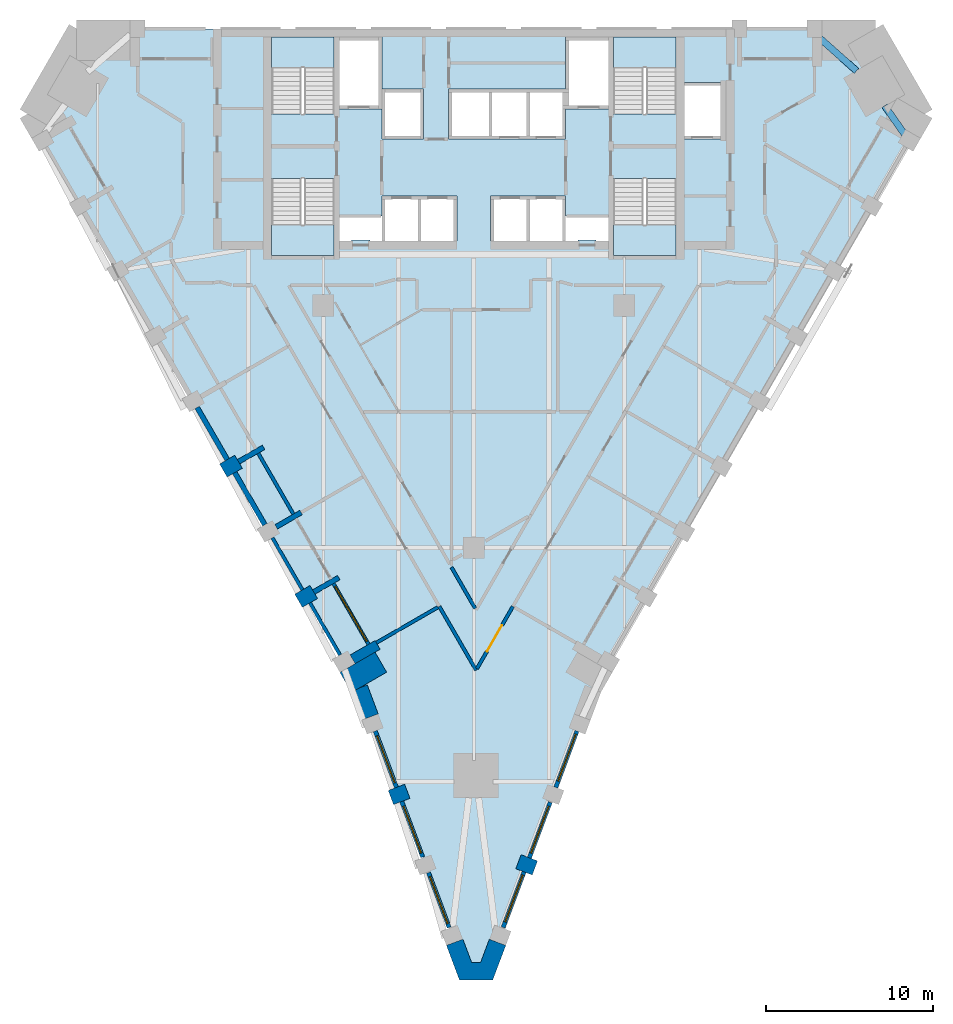
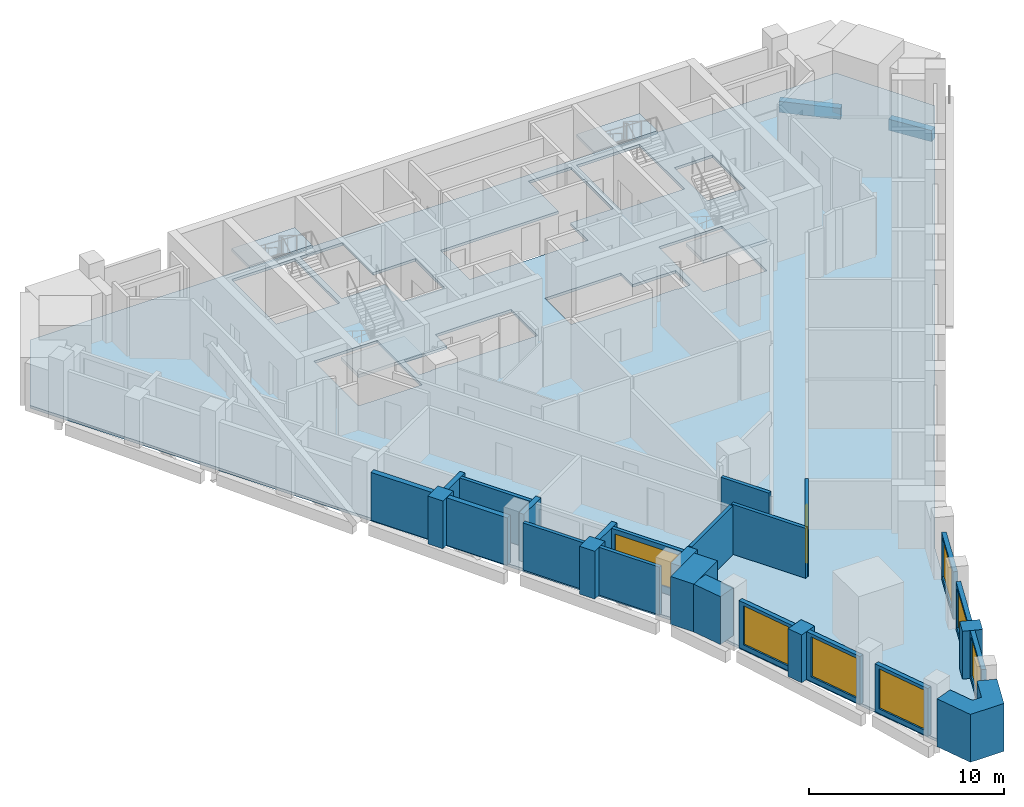
# One storey, part 2 of 9: 27 walls, 7 windows, 5 slabs, 2 beams, 1 door, 8 openings, 4 elements without a shape of their own.
"""IFC4 building model written with IfcOpenShell, lengths in metres."""

import ifcopenshell
import ifcopenshell.guid

model = None  # the IFC model being written
_history = None  # IfcOwnerHistory: only IFC2X3 demands one
_inside = {}  # id of a spatial element -> (the spatial element, [elements in it])
_under = {}  # id of a project, library or spatial element -> (it, [spatial elements below it])
_declared = {}  # id of a project -> (the project, [libraries it declares])
_typed = {}  # id of a type object -> (the type object, [elements of that type])
_made_of = {}  # id of a material, layer set ... -> (it, [elements and type objects made of it])


def new_model(schema):
    """Start an empty IFC model of exactly this schema.

    Asked for "IFC4X3", IfcOpenShell would pick the latest addendum, in which some entities
    have other attributes; the version numbers below select the first issue.
    IFC2X3 requires an IfcOwnerHistory on every rooted entity: one is made here for all.
    """
    global model, _history
    if schema == "IFC4X3":
        model = ifcopenshell.file(schema_version=(4, 3, 0, 0))
    else:
        model = ifcopenshell.file(schema=schema)
    _inside.clear()
    _under.clear()
    _declared.clear()
    _typed.clear()
    _made_of.clear()
    _history = None
    if model.schema == "IFC2X3":
        org = make("IfcOrganization", Name="unknown")
        user = make(
            "IfcPersonAndOrganization",
            ThePerson=make("IfcPerson", FamilyName="unknown"),
            TheOrganization=org,
        )
        app = make(
            "IfcApplication",
            ApplicationDeveloper=org,
            Version="unknown",
            ApplicationFullName="unknown",
            ApplicationIdentifier="unknown",
        )
        _history = make(
            "IfcOwnerHistory",
            OwningUser=user,
            OwningApplication=app,
            ChangeAction="ADDED",
            CreationDate=0,
        )
    return model


def make(cls, **values):
    """One entity of the class cls with the attributes given. An attribute that is None is left unset."""
    return model.create_entity(
        cls, **{name: value for name, value in values.items() if value is not None}
    )


def rooted(cls, **values):
    """An entity with a GlobalId (a new one), such as an element, a storey or a relation."""
    return make(cls, GlobalId=ifcopenshell.guid.new(), OwnerHistory=_history, **values)


def si_unit(unit_type, name, prefix=None):
    """IfcSIUnit, for example si_unit("LENGTHUNIT", "METRE", prefix="MILLI")."""
    return make("IfcSIUnit", UnitType=unit_type, Prefix=prefix, Name=name)


def assignment(units):
    """IfcUnitAssignment: the units of a project."""
    return None if units is None else make("IfcUnitAssignment", Units=units)


def point(xyz):
    """IfcCartesianPoint."""
    return None if xyz is None else make("IfcCartesianPoint", Coordinates=xyz)


def direction(xyz):
    """IfcDirection."""
    return None if xyz is None else make("IfcDirection", DirectionRatios=xyz)


def frame(location, z_axis=None, x_axis=None):
    """IfcAxis2Placement3D, a coordinate frame: its origin and axes. An axis left out is left unset."""
    return make(
        "IfcAxis2Placement3D",
        Location=point(location),
        Axis=direction(z_axis),
        RefDirection=direction(x_axis),
    )


def frame_2d(location, x_axis=None):
    """IfcAxis2Placement2D, a coordinate frame in the plane: its origin and x axis."""
    return make(
        "IfcAxis2Placement2D", Location=point(location), RefDirection=direction(x_axis)
    )


def origin():
    """The frame at (0, 0, 0) with its axes left unset."""
    return frame((0.0, 0.0, 0.0))


def origin_2d():
    """The frame at (0, 0) in the plane with its x axis left unset."""
    return frame_2d((0.0, 0.0))


def place(relative_to, where):
    """IfcLocalPlacement: puts the frame where relative to a parent placement (None: the world)."""
    return make(
        "IfcLocalPlacement", PlacementRelTo=relative_to, RelativePlacement=where
    )


def context(
    kind, dimensions, precision=None, world=None, true_north=None, identifier=None
):
    """IfcGeometricRepresentationContext, for example the 3D "Model" context."""
    return make(
        "IfcGeometricRepresentationContext",
        ContextIdentifier=identifier,
        ContextType=kind,
        CoordinateSpaceDimension=dimensions,
        Precision=precision,
        WorldCoordinateSystem=world,
        TrueNorth=true_north,
    )


def subcontext(parent, identifier, kind, view, scale=None):
    """IfcGeometricRepresentationSubContext, for example "Body" below "Model"."""
    return make(
        "IfcGeometricRepresentationSubContext",
        ContextIdentifier=identifier,
        ContextType=kind,
        ParentContext=parent,
        TargetScale=scale,
        TargetView=view,
    )


def project(units=None, contexts=None):
    """IfcProject with its units and contexts."""
    return rooted(
        "IfcProject",
        Name="project",
        RepresentationContexts=contexts,
        UnitsInContext=assignment(units),
    )


def spatial(cls, under=None, at=None, **own):
    """A site, building, storey or space (cls), placed at a placement, below another one or the project."""
    s = rooted(cls, ObjectPlacement=at, **own)
    if under is not None:
        _under.setdefault(under.id(), (under, []))[1].append(s)
    return s


def polyline(points):
    """IfcPolyline through the points."""
    return make("IfcPolyline", Points=[point(p) for p in points])


def profile(cls, at=None, kind="AREA", **sizes):
    """A parametric profile (cls). Its sizes go by their IFC names, for example OverallWidth=200.0."""
    return make(cls, ProfileType=kind, Position=at, **sizes)


def rectangle(**sizes):
    """IfcRectangleProfileDef."""
    return profile("IfcRectangleProfileDef", **sizes)


def outline(outer, holes=None, kind="AREA"):
    """IfcArbitraryClosedProfileDef: a profile drawn as a closed curve; with holes, ...WithVoids."""
    if holes is None:
        return make("IfcArbitraryClosedProfileDef", ProfileType=kind, OuterCurve=outer)
    return make(
        "IfcArbitraryProfileDefWithVoids",
        ProfileType=kind,
        OuterCurve=outer,
        InnerCurves=holes,
    )


def extrude(swept, where, along, depth):
    """IfcExtrudedAreaSolid: the profile swept, set in the frame where, extruded along a direction by depth."""
    return make(
        "IfcExtrudedAreaSolid",
        SweptArea=swept,
        Position=where,
        ExtrudedDirection=direction(along),
        Depth=depth,
    )


def shape(context_of_items, identifier, shape_type, items):
    """IfcShapeRepresentation: the items that make up one representation, for example the "Body"."""
    return make(
        "IfcShapeRepresentation",
        ContextOfItems=context_of_items,
        RepresentationIdentifier=identifier,
        RepresentationType=shape_type,
        Items=items,
    )


def material(Name=None, Category=None):
    """IfcMaterial."""
    return make("IfcMaterial", Name=Name, Category=Category)


def layer(
    of_material, thickness, ventilated=None, Name=None, Category=None, Priority=None
):
    """IfcMaterialLayer: one layer of a wall or slab, of a material (None: an air gap)."""
    return make(
        "IfcMaterialLayer",
        Material=of_material,
        LayerThickness=thickness,
        IsVentilated=ventilated,
        Name=Name,
        Category=Category,
        Priority=Priority,
    )


def layer_set(layers, Name=None):
    """IfcMaterialLayerSet."""
    return make("IfcMaterialLayerSet", MaterialLayers=layers, LayerSetName=Name)


def material_profile(
    of_material, cross_section, Name=None, Category=None, Priority=None
):
    """IfcMaterialProfile: a cross section and its material."""
    return make(
        "IfcMaterialProfile",
        Name=Name,
        Material=of_material,
        Profile=cross_section,
        Priority=Priority,
        Category=Category,
    )


def profile_set(profiles, Name=None, composite=None):
    """IfcMaterialProfileSet."""
    return make(
        "IfcMaterialProfileSet",
        Name=Name,
        MaterialProfiles=profiles,
        CompositeProfile=composite,
    )


def made_of(thing, what):
    """Note that an element or type object is made of a material, layer set ...; save() writes the relation."""
    if what is not None:
        _made_of.setdefault(what.id(), (what, []))[1].append(thing)
    return thing


def type_object(cls, material=None, **own):
    """A type object (cls), such as IfcWallType, which elements share."""
    return made_of(rooted(cls, **own), material)


def element(
    cls,
    number,
    at=None,
    inside=None,
    cuts=None,
    type_object=None,
    material=None,
    context=None,
    identifier="Body",
    shape_type=None,
    held_by="IfcProductDefinitionShape",
    body=None,
    shapes=None,
    **own,
):
    """One element of the class cls, such as IfcWall. Its Tag is "e" and its number.

    at: its placement. inside: the storey or other place that contains it. cuts: it is an
    opening in that element (IfcRelVoidsElement). A single representation is given by context,
    identifier, shape_type and body (its items); several are given by shapes. held_by: the class
    of the entity that holds the representations. save() writes the other relations.
    """
    e = rooted(cls, Tag="e%d" % number, ObjectPlacement=at, **own)
    if body is not None:
        shapes = [shape(context, identifier, shape_type, body)]
    if shapes is not None:
        e.Representation = make(held_by, Representations=shapes)
    if inside is not None:
        _inside.setdefault(inside.id(), (inside, []))[1].append(e)
    if cuts is not None:
        rooted(
            "IfcRelVoidsElement", RelatingBuildingElement=cuts, RelatedOpeningElement=e
        )
    if type_object is not None:
        _typed.setdefault(type_object.id(), (type_object, []))[1].append(e)
    return made_of(e, material)


def fill(opening, filler):
    """IfcRelFillsElement: the door or window that sits in an opening."""
    return rooted(
        "IfcRelFillsElement",
        RelatingOpeningElement=opening,
        RelatedBuildingElement=filler,
    )


def aggregate(whole, parts):
    """IfcRelAggregates: a whole, such as a stair, and the parts it consists of."""
    return rooted("IfcRelAggregates", RelatingObject=whole, RelatedObjects=parts)


def save(model, path):
    """Write the relations noted so far, then the file.

    IfcRelAggregates (storeys below a building ...), IfcRelContainedInSpatialStructure (elements
    in a storey), IfcRelDefinesByType, IfcRelAssociatesMaterial and IfcRelDeclares: one each for
    every whole, place, type object, material and project.
    """
    for whole, parts in _under.values():
        aggregate(whole, parts)
    for where, things in _inside.values():
        rooted(
            "IfcRelContainedInSpatialStructure",
            RelatedElements=things,
            RelatingStructure=where,
        )
    for kind, things in _typed.values():
        rooted("IfcRelDefinesByType", RelatedObjects=things, RelatingType=kind)
    for what, things in _made_of.values():
        rooted("IfcRelAssociatesMaterial", RelatedObjects=things, RelatingMaterial=what)
    for by, libraries in _declared.values():
        rooted("IfcRelDeclares", RelatingContext=by, RelatedDefinitions=libraries)
    model.write(path)


model = new_model("IFC4")

# Units and contexts
model_context = context("Model", 3, precision=1e-05, world=origin(), true_north=direction((0.0, 1.0)))
body_context = subcontext(model_context, "Body", "Model", "MODEL_VIEW")
ifc_project = project(units=[si_unit("LENGTHUNIT", "METRE"), si_unit("AREAUNIT", "SQUARE_METRE"), si_unit("VOLUMEUNIT", "CUBIC_METRE"), si_unit("PLANEANGLEUNIT", "RADIAN"), si_unit("MASSUNIT", "GRAM", prefix="KILO")], contexts=[model_context])

# Site, building, storey
site_placement = place(None, origin())
site = spatial("IfcSite", under=ifc_project, at=site_placement, CompositionType="ELEMENT")
building_placement = place(site_placement, origin())
building = spatial("IfcBuilding", under=site, at=building_placement, Name="Calabash Gate Tower", CompositionType="ELEMENT")
storey_placement = place(building_placement, frame((0.0, 0.0, 160.199951171875)))
storey = spatial("IfcBuildingStorey", under=building, at=storey_placement, Name="L37", CompositionType="ELEMENT", Elevation=160.199951171875)

# Beams
ifc_material_1 = material(Name="Concrete C50/60", Category="concrete")
ifc_material_profile = material_profile(ifc_material_1, rectangle(XDim=0.39990234375, YDim=0.699951171875, at=origin_2d()))
ifc_profile_set = profile_set([ifc_material_profile], Name="Concrete C50/60")
beam_type = type_object("IfcBeamType", Name="Edge beam RC 400x700 Concrete C50/60", PredefinedType="BEAM", material=ifc_profile_set)
beam_1_placement = place(storey_placement, frame((25.98193359375, 12.44189453125, -0.52001953125), z_axis=(-0.57298674454, 0.81956463478, 0.0), x_axis=(-0.81956463478, -0.57298674454, 0.0)))
element("IfcBeam", 1, at=beam_1_placement, inside=storey, type_object=beam_type, Name="Edge beam L37 15", PredefinedType="BEAM", context=body_context, shape_type="SweptSolid", body=[
    extrude(rectangle(XDim=0.39990234375, YDim=0.699951171875, at=origin_2d()), origin(), (0.0, 0.0, 1.0), 2.446533203125),
])
beam_2_placement = place(storey_placement, frame((22.89794921875, 16.533935546875, -0.52001953125), z_axis=(-0.747778716146, 0.663948033869, 0.0), x_axis=(-0.663948033869, -0.747778716146, 0.0)))
element("IfcBeam", 2, at=beam_2_placement, inside=storey, type_object=beam_type, Name="Edge beam L37 16", PredefinedType="BEAM", context=body_context, shape_type="SweptSolid", body=[
    extrude(rectangle(XDim=0.39990234375, YDim=0.699951171875, at=origin_2d()), origin(), (0.0, 0.0, 1.0), 3.244384765625),
])

# Slab
ifc_material_2 = material(Name="Concrete C40/50", Category="concrete")
ifc_layer_1 = layer(ifc_material_2, 0.169921875)
ifc_layer_set_1 = layer_set([ifc_layer_1], Name="Composite floor slab 170 Concrete C40/50")
slab_type_1 = type_object("IfcSlabType", Name="Composite floor slab 170 Concrete C40/50", PredefinedType="FLOOR", material=ifc_layer_set_1)
slab_1_placement = place(storey_placement, frame((0.0, 0.0, -0.169921875)))
element("IfcSlab", 3, at=slab_1_placement, inside=storey, type_object=slab_type_1, Name="Floor slab L37", PredefinedType="FLOOR", context=body_context, shape_type="SweptSolid", body=[
    extrude(outline(polyline([(-23.755615234375, 19.052490234375), (24.030517578125, 19.052490234375), (26.970947265625, 13.95947265625), (7.137451171875, -20.393310546875), (0.770751953125, -37.33251953125), (-0.495849609375, -37.33251953125), (-6.862548828125, -20.393310546875), (-26.696044921875, 13.95947265625), (-23.755615234375, 19.052490234375)]), holes=[polyline([(-3.25, 9.052490234375), (-5.5, 9.052490234375), (-5.5, 7.8525390625), (-8.050048828125, 7.8525390625), (-8.050048828125, 6.3525390625), (-7.324951171875, 6.3525390625), (-7.324951171875, 6.402587890625), (-6.22509765625, 6.402587890625), (-6.22509765625, 6.3525390625), (-5.5, 6.3525390625), (-3.25, 6.3525390625), (-1.0, 6.3525390625), (-1.0, 9.052490234375), (-3.25, 9.052490234375)]), polyline([(5.5, 6.3525390625), (6.22509765625, 6.3525390625), (6.22509765625, 6.402587890625), (7.324951171875, 6.402587890625), (7.324951171875, 6.3525390625), (8.050048828125, 6.3525390625), (8.050048828125, 7.8525390625), (5.5, 7.8525390625), (5.5, 9.052490234375), (3.25, 9.052490234375), (1.0, 9.052490234375), (1.0, 6.3525390625), (3.25, 6.3525390625), (5.5, 6.3525390625)]), polyline([(-5.5, 12.45263671875), (-3.0, 12.45263671875), (-3.0, 15.45263671875), (-5.5, 15.45263671875), (-5.5, 18.552490234375), (-8.050048828125, 18.552490234375), (-8.050048828125, 14.252685546875), (-5.5, 14.252685546875), (-5.5, 12.45263671875)]), polyline([(-1.5, 15.45263671875), (-1.5, 12.45263671875), (1.0, 12.45263671875), (3.25, 12.45263671875), (5.5, 12.45263671875), (5.5, 14.252685546875), (8.050048828125, 14.252685546875), (8.050048828125, 18.552490234375), (5.5, 18.552490234375), (5.5, 15.45263671875), (3.25, 15.45263671875), (1.0, 15.45263671875), (-1.5, 15.45263671875)]), polyline([(14.85009765625, 15.8525390625), (12.60009765625, 15.8525390625), (12.60009765625, 12.45263671875), (14.85009765625, 12.45263671875), (14.85009765625, 15.8525390625)]), polyline([(-8.35009765625, 18.552490234375), (-12.10009765625, 18.552490234375), (-12.10009765625, 13.95263671875), (-8.35009765625, 13.95263671875), (-8.35009765625, 18.552490234375)]), polyline([(-12.10009765625, 10.1025390625), (-12.10009765625, 5.502685546875), (-8.35009765625, 5.502685546875), (-8.35009765625, 10.1025390625), (-12.10009765625, 10.1025390625)]), polyline([(8.35009765625, 13.95263671875), (12.10009765625, 13.95263671875), (12.10009765625, 18.552490234375), (8.35009765625, 18.552490234375), (8.35009765625, 13.95263671875)]), polyline([(12.10009765625, 5.502685546875), (12.10009765625, 10.1025390625), (8.35009765625, 10.1025390625), (8.35009765625, 5.502685546875), (12.10009765625, 5.502685546875)])]), origin(), (0.0, 0.0, 1.0), 0.169921875),
])

# Stair, slab
ifc_material_3 = material(Name="Concrete C40/50", Category="concrete")
stair_type = type_object("IfcStairType", Name="Exit stair 22 risers of 177.3 mm", PredefinedType="HALF_TURN_STAIR", material=ifc_material_3)
stair_1_placement = place(storey_placement, origin())
stair_1 = element("IfcStair", 4, at=stair_1_placement, inside=storey, type_object=stair_type, Name="L37 Exit stair ST1", PredefinedType="HALF_TURN_STAIR")
ifc_material_4 = material(Name="Concrete C40/50", Category="concrete")
ifc_layer_2 = layer(ifc_material_4, 0.199951171875)
ifc_layer_set_2 = layer_set([ifc_layer_2], Name="Stair landing SL200")
slab_type_2 = type_object("IfcSlabType", Name="Stair landing SL200", PredefinedType="LANDING", material=ifc_layer_set_2)
slab_2_placement = place(storey_placement, frame((0.0, 0.0, 1.75)))
slab_2 = element("IfcSlab", 5, at=slab_2_placement, type_object=slab_type_2, Name="ST1 landing 1", PredefinedType="LANDING", context=body_context, shape_type="SweptSolid", body=[
    extrude(outline(polyline([(-8.35009765625, 16.74267578125), (-8.35009765625, 18.552490234375), (-12.10009765625, 18.552490234375), (-12.10009765625, 16.74267578125), (-8.35009765625, 16.74267578125)])), origin(), (0.0, 0.0, 1.0), 0.199951171875),
])
aggregate(stair_1, [slab_2])

stair_2_placement = place(storey_placement, origin())
stair_2 = element("IfcStair", 6, at=stair_2_placement, inside=storey, type_object=stair_type, Name="L37 Exit stair ST2", PredefinedType="HALF_TURN_STAIR")
slab_3_placement = place(storey_placement, frame((0.0, 0.0, 1.75)))
slab_3 = element("IfcSlab", 7, at=slab_3_placement, type_object=slab_type_2, Name="ST2 landing 1", PredefinedType="LANDING", context=body_context, shape_type="SweptSolid", body=[
    extrude(outline(polyline([(-12.10009765625, 7.3125), (-12.10009765625, 5.502685546875), (-8.35009765625, 5.502685546875), (-8.35009765625, 7.3125), (-12.10009765625, 7.3125)])), origin(), (0.0, 0.0, 1.0), 0.199951171875),
])
aggregate(stair_2, [slab_3])

stair_3_placement = place(storey_placement, origin())
stair_3 = element("IfcStair", 8, at=stair_3_placement, inside=storey, type_object=stair_type, Name="L37 Exit stair ST3", PredefinedType="HALF_TURN_STAIR")
slab_4_placement = place(storey_placement, frame((0.0, 0.0, 1.75)))
slab_4 = element("IfcSlab", 9, at=slab_4_placement, type_object=slab_type_2, Name="ST3 landing 1", PredefinedType="LANDING", context=body_context, shape_type="SweptSolid", body=[
    extrude(outline(polyline([(12.10009765625, 16.74267578125), (12.10009765625, 18.552490234375), (8.35009765625, 18.552490234375), (8.35009765625, 16.74267578125), (12.10009765625, 16.74267578125)])), origin(), (0.0, 0.0, 1.0), 0.199951171875),
])
aggregate(stair_3, [slab_4])

stair_4_placement = place(storey_placement, origin())
stair_4 = element("IfcStair", 10, at=stair_4_placement, inside=storey, type_object=stair_type, Name="L37 Exit stair ST4", PredefinedType="HALF_TURN_STAIR")
slab_5_placement = place(storey_placement, frame((0.0, 0.0, 1.75)))
slab_5 = element("IfcSlab", 11, at=slab_5_placement, type_object=slab_type_2, Name="ST4 landing 1", PredefinedType="LANDING", context=body_context, shape_type="SweptSolid", body=[
    extrude(outline(polyline([(8.35009765625, 7.3125), (8.35009765625, 5.502685546875), (12.10009765625, 5.502685546875), (12.10009765625, 7.3125), (8.35009765625, 7.3125)])), origin(), (0.0, 0.0, 1.0), 0.199951171875),
])
aggregate(stair_4, [slab_5])

# Walls
ifc_material_5 = material(Name="Terracotta brick masonry, exposed face", Category="masonry")
ifc_layer_3 = layer(ifc_material_5, 2.425048828125)
ifc_layer_set_3 = layer_set([ifc_layer_3], Name="Brick corner mass wall 2425")
wall_type_1 = type_object("IfcWallType", Name="Brick corner mass wall 2425", PredefinedType="SOLIDWALL", material=ifc_layer_set_3)
wall_1_placement = place(storey_placement, frame((-5.56298828125, -18.843994140625, 0.0), z_axis=(0.0, 0.0, 1.0), x_axis=(-0.865997808697, -0.500047793048, 0.0)))
element("IfcWall", 12, at=wall_1_placement, inside=storey, type_object=wall_type_1, Name="Brick corner pier S10 1", PredefinedType="SOLIDWALL", context=body_context, shape_type="SweptSolid", body=[
    extrude(rectangle(XDim=2.425048828125, YDim=1.383544921875, at=frame_2d((1.21240234375, 0.0))), origin(), (0.0, 0.0, 1.0), 3.0),
])
ifc_material_6 = material(Name="Terracotta brick masonry, exposed face", Category="masonry")
ifc_layer_4 = layer(ifc_material_6, 1.050048828125)
ifc_layer_set_4 = layer_set([ifc_layer_4], Name="Brick end wall 1050")
wall_type_2 = type_object("IfcWallType", Name="Brick end wall 1050", PredefinedType="SOLIDWALL", material=ifc_layer_set_4)
for number, where, z_axis, x_axis, name in (
    (13, (-14.98388671875, -7.37646484375, 0.0), (0.0, 0.0, 1.0), (0.866030680601, 0.499990860175, 0.0), "Brick pier S10 SW0.5"),
    (14, (-10.48388671875, -15.170654296875, 0.0), (0.0, 0.0, 1.0), (0.866030680601, 0.499990860175, 0.0), "Brick pier S10 SW0.7"),
):
    element("IfcWall", number, at=place(storey_placement, frame(where, z_axis=z_axis, x_axis=x_axis)), inside=storey, type_object=wall_type_2, Name=name, PredefinedType="SOLIDWALL", context=body_context, shape_type="SweptSolid", body=[
        extrude(rectangle(XDim=1.0498046875, YDim=0.89990234375, at=frame_2d((0.52490234375, 0.0))), origin(), (0.0, 0.0, 1.0), 3.0),
    ])
for number, where, z_axis, x_axis, name in (
    (15, (-3.979248046875, -26.572021484375, 0.0), (0.0, 0.0, 1.0), (-0.936080509118, -0.351785844584, 0.0), "Brick pier S10 wedge1.1"),
    (16, (3.654052734375, -31.15380859375, 0.0), (0.0, 0.0, 1.0), (-0.936080509118, 0.351785844584, 0.0), "Brick pier S10 wedge3.1"),
):
    element("IfcWall", number, at=place(storey_placement, frame(where, z_axis=z_axis, x_axis=x_axis)), inside=storey, type_object=wall_type_2, Name=name, PredefinedType="SOLIDWALL", context=body_context, shape_type="SweptSolid", body=[
        extrude(rectangle(XDim=1.050048828125, YDim=0.89990234375, at=frame_2d((0.52490234375, 0.0))), origin(), (0.0, 0.0, 1.0), 3.0),
    ])
wall_2_placement = place(storey_placement, origin())
element("IfcWall", 17, at=wall_2_placement, inside=storey, type_object=wall_type_2, Name="Brick end wall S10 1", PredefinedType="SOLIDWALL", context=body_context, shape_type="SweptSolid", body=[
    extrude(outline(polyline([(-5.720947265625, -21.938232421875), (-6.37109375, -20.20849609375), (-6.862548828125, -20.393310546875), (-7.317138671875, -20.65576171875), (-7.3388671875, -20.618408203125), (-6.70361328125, -22.307861328125), (-6.70361328125, -22.307861328125), (-6.703857421875, -22.307373046875), (-5.720947265625, -21.938232421875)])), origin(), (0.0, 0.0, 1.0), 3.0),
])
wall_3_placement = place(storey_placement, origin())
element("IfcWall", 18, at=wall_3_placement, inside=storey, type_object=wall_type_2, Name="Brick end wall S10 2", PredefinedType="SOLIDWALL", context=body_context, shape_type="SweptSolid", body=[
    extrude(outline(polyline([(-0.13232421875, -36.8076171875), (-0.654541015625, -35.41796875), (-1.637451171875, -35.787353515625), (-0.859375, -37.857666015625), (1.13427734375, -37.857666015625), (1.912353515625, -35.787353515625), (0.929443359375, -35.41796875), (0.4072265625, -36.8076171875), (-0.13232421875, -36.8076171875)])), origin(), (0.0, 0.0, 1.0), 3.0),
])
ifc_material_7 = material(Name="Terracotta brick masonry, exposed face", Category="masonry")
ifc_layer_5 = layer(ifc_material_7, 0.300048828125)
ifc_layer_set_5 = layer_set([ifc_layer_5], Name="Brick infill panel wall 300")
wall_type_3 = type_object("IfcWallType", Name="Brick infill panel wall 300", PredefinedType="SOLIDWALL", material=ifc_layer_set_5)
wall_4_placement = place(storey_placement, frame((-16.55419921875, -3.6064453125, 0.0), z_axis=(0.0, 0.0, 1.0), x_axis=(0.499931829785, -0.866064758299, 0.0)))
element("IfcWall", 19, at=wall_4_placement, inside=storey, type_object=wall_type_3, Name="Brick panel S10 SW0.5", PredefinedType="SOLIDWALL", context=body_context, shape_type="SweptSolid", body=[
    extrude(rectangle(XDim=3.60009765625, YDim=0.300048828125, at=frame_2d((1.800048828125, 0.0))), origin(), (0.0, 0.0, 1.0), 3.0),
])
wall_5_placement = place(storey_placement, frame((-14.30419921875, -7.503662109375, 0.0), z_axis=(0.0, 0.0, 1.0), x_axis=(0.499961193289, -0.866047807691, 0.0)))
element("IfcWall", 20, at=wall_5_placement, inside=storey, type_object=wall_type_3, Name="Brick panel S10 SW0.6", PredefinedType="SOLIDWALL", context=body_context, shape_type="SweptSolid", body=[
    extrude(rectangle(XDim=3.599853515625, YDim=0.300048828125, at=frame_2d((1.7998046875, 0.0))), origin(), (0.0, 0.0, 1.0), 2.9736328125),
])
ifc_material_8 = material(Name="Terracotta brick masonry, exposed face", Category="masonry")
ifc_layer_6 = layer(ifc_material_8, 0.300048828125)
ifc_layer_set_6 = layer_set([ifc_layer_6], Name="Brick loggia cheek wall 300")
wall_type_4 = type_object("IfcWallType", Name="Brick loggia cheek wall 300", PredefinedType="SOLIDWALL", material=ifc_layer_set_6)
wall_6_placement = place(storey_placement, frame((-14.07470703125, -6.8515625, 0.0), z_axis=(0.0, 0.0, 1.0), x_axis=(0.866013532718, 0.500020560727, 0.0)))
element("IfcWall", 21, at=wall_6_placement, inside=storey, type_object=wall_type_4, Name="Loggia cheek S10 SW0.5", PredefinedType="SOLIDWALL", context=body_context, shape_type="SweptSolid", body=[
    extrude(rectangle(XDim=1.72509765625, YDim=0.300048828125, at=frame_2d((0.862548828125, 0.0))), origin(), (0.0, 0.0, 1.0), 2.9736328125),
])
wall_7_placement = place(storey_placement, frame((-10.330810546875, -9.885986328125, 0.0), z_axis=(0.0, 0.0, 1.0), x_axis=(-0.86597814115, -0.500081852351, 0.0)))
element("IfcWall", 22, at=wall_7_placement, inside=storey, type_object=wall_type_4, Name="Loggia cheek S10 SW0.6", PredefinedType="SOLIDWALL", context=body_context, shape_type="SweptSolid", body=[
    extrude(rectangle(XDim=1.724853515625, YDim=0.300048828125, at=frame_2d((0.8623046875, 0.0))), origin(), (0.0, 0.0, 1.0), 3.0),
])
wall_8_placement = place(storey_placement, frame((-9.57470703125, -14.645751953125, 0.0), z_axis=(0.0, 0.0, 1.0), x_axis=(0.866013532718, 0.500020560727, 0.0)))
element("IfcWall", 23, at=wall_8_placement, inside=storey, type_object=wall_type_4, Name="Loggia cheek S10 SW0.7", PredefinedType="SOLIDWALL", context=body_context, shape_type="SweptSolid", body=[
    extrude(rectangle(XDim=1.72509765625, YDim=0.300048828125, at=frame_2d((0.862548828125, 0.0))), origin(), (0.0, 0.0, 1.0), 3.0),
])
wall_9_placement = place(storey_placement, frame((-5.755859375, -17.810302734375, 0.0), z_axis=(0.0, 0.0, 1.0), x_axis=(-0.866074815912, -0.499914405916, 0.0)))
element("IfcWall", 24, at=wall_9_placement, inside=storey, type_object=wall_type_4, Name="Loggia cheek S10 SW0.8", PredefinedType="SOLIDWALL", context=body_context, shape_type="SweptSolid", body=[
    extrude(rectangle(XDim=1.724853515625, YDim=0.60009765625, at=frame_2d((0.8623046875, 0.0))), origin(), (0.0, 0.0, 1.0), 3.0),
])
ifc_material_9 = material(Name="Gypsum board on steel studs, mineral wool", Category="steel")
ifc_layer_7 = layer(ifc_material_9, 0.199951171875)
ifc_layer_set_7 = layer_set([ifc_layer_7], Name="Partition 200 gypsum board EI 60")
wall_type_5 = type_object("IfcWallType", Name="Partition 200 gypsum board EI 60", PredefinedType="PARTITIONING", material=ifc_layer_set_7)
wall_10_placement = place(storey_placement, frame((-2.06494140625, -15.506591796875, 0.0), z_axis=(0.0, 0.0, 1.0), x_axis=(0.500349665943, -0.865823429916, 0.0)))
element("IfcWall", 25, at=wall_10_placement, inside=storey, type_object=wall_type_5, Name="Partition", PredefinedType="PARTITIONING", context=body_context, shape_type="SweptSolid", body=[
    extrude(rectangle(XDim=4.402099609375, YDim=0.199951171875, at=frame_2d((2.201171875, 0.0))), origin(), (0.0, 0.0, 1.0), 3.1279296875),
])
wall_11_placement = place(storey_placement, frame((-5.83056640625, -17.6806640625, 0.0), z_axis=(0.0, 0.0, 1.0), x_axis=(0.866217148336, 0.499667741532, 0.0)))
element("IfcWall", 26, at=wall_11_placement, inside=storey, type_object=wall_type_5, Name="Partition", PredefinedType="PARTITIONING", context=body_context, shape_type="SweptSolid", body=[
    extrude(rectangle(XDim=4.24951171875, YDim=0.199951171875, at=frame_2d((2.124755859375, 0.0))), origin(), (0.0, 0.0, 1.0), 3.052001953125),
])

# Wall, opening, door
wall_12_placement = place(storey_placement, frame((0.187744140625, -19.2314453125, 0.0), z_axis=(0.0, 0.0, 1.0), x_axis=(0.500313526201, 0.865844313662, 0.0)))
wall_12 = element("IfcWall", 27, at=wall_12_placement, inside=storey, type_object=wall_type_5, Name="Partition", PredefinedType="PARTITIONING", context=body_context, shape_type="SweptSolid", body=[
    extrude(rectangle(XDim=4.302001953125, YDim=0.199951171875, at=frame_2d((2.15087890625, 0.0))), origin(), (0.0, 0.0, 1.0), 3.1279296875),
])
opening_1_placement = place(wall_12_placement, frame((1.200927734375, 0.0, 0.0)))
opening_1 = element("IfcOpeningElement", 28, at=opening_1_placement, cuts=wall_12, Name="Opening 36-38-015", PredefinedType="OPENING", context=body_context, shape_type="SweptSolid", body=[
    extrude(rectangle(XDim=1.800048828125, YDim=2.39990234375, at=frame_2d((0.89990234375, 1.199951171875))), frame((0.0, 0.10986328125, 0.0), z_axis=(0.0, -1.0, 0.0), x_axis=(1.0, 0.0, 0.0)), (0.0, 0.0, 1.0), 0.219970703125),
])
ifc_material_10 = material(Name="Steel fire door set with fire-resisting glazing", Category="steel")
door_type = type_object("IfcDoorType", Name="OD5 Open office double door 1800x2400", OperationType="NOTDEFINED", PredefinedType="DOOR", material=ifc_material_10)
door_placement = place(opening_1_placement, origin())
door = element("IfcDoor", 29, at=door_placement, inside=storey, type_object=door_type, Name="Open office double door", OperationType="DOUBLE_DOOR_SINGLE_SWING", OverallHeight=2.39990234375, OverallWidth=1.800048828125, PredefinedType="DOOR", context=body_context, shape_type="SweptSolid", body=[
    extrude(rectangle(XDim=1.800048828125, YDim=2.39990234375, at=frame_2d((0.89990234375, 1.199951171875))), frame((0.0, 0.02490234375, 0.0), z_axis=(0.0, -1.0, 0.0), x_axis=(1.0, 0.0, 0.0)), (0.0, 0.0, 1.0), 0.050048828125),
])
fill(opening_1, door)

# Wall
wall_13_placement = place(storey_placement, frame((-1.33349609375, -13.16943359375, 0.0), z_axis=(0.0, 0.0, 1.0), x_axis=(0.499982728352, -0.866035375346, 0.0)))
element("IfcWall", 30, at=wall_13_placement, inside=storey, type_object=wall_type_5, Name="Partition", PredefinedType="PARTITIONING", context=body_context, shape_type="SweptSolid", body=[
    extrude(rectangle(XDim=2.841796875, YDim=0.199951171875, at=frame_2d((1.4208984375, 0.0))), origin(), (0.0, 0.0, 1.0), 3.1279296875),
])

# Wall, opening, window
ifc_material_11 = material(Name="Aluminium framed window wall with insulated spandrel", Category="aluminium")
ifc_layer_8 = layer(ifc_material_11, 0.25)
ifc_layer_set_8 = layer_set([ifc_layer_8], Name="Prow window wall 250")
wall_type_6 = type_object("IfcWallType", Name="Prow window wall 250", PredefinedType="ELEMENTEDWALL", material=ifc_layer_set_8)
wall_14_placement = place(storey_placement, frame((-5.895751953125, -22.9658203125, 0.0), z_axis=(0.0, 0.0, 1.0), x_axis=(0.351851706772, -0.936055754986, 0.0)))
wall_14 = element("IfcWall", 31, at=wall_14_placement, inside=storey, type_object=wall_type_6, Name="Prow window wall S10 wedge1.1", PredefinedType="ELEMENTEDWALL", context=body_context, shape_type="SweptSolid", body=[
    extrude(rectangle(XDim=3.599853515625, YDim=0.25, at=frame_2d((1.7998046875, 0.0))), origin(), (0.0, 0.0, 1.0), 2.9501953125),
])
opening_2_placement = place(wall_14_placement, frame((0.300048828125, 0.0, 0.300048828125)))
opening_2 = element("IfcOpeningElement", 32, at=opening_2_placement, cuts=wall_14, Name="Opening WP2L-2450", PredefinedType="OPENING", context=body_context, shape_type="SweptSolid", body=[
    extrude(rectangle(XDim=3.0, YDim=2.449951171875, at=frame_2d((1.5, 1.22509765625))), frame((0.0, 0.135009765625, 0.0), z_axis=(0.0, -1.0, 0.0), x_axis=(1.0, 0.0, 0.0)), (0.0, 0.0, 1.0), 0.27001953125),
])
ifc_material_12 = material(Name="Anodised aluminium frame, bronze finish, impact-rated laminated clear glazing", Category="aluminium")
window_type_1 = type_object("IfcWindowType", Name="Window WP2L 3000x2450", PartitioningType="DOUBLE_PANEL_VERTICAL", PredefinedType="WINDOW", material=ifc_material_12)
window_1_placement = place(opening_2_placement, origin())
window_1 = element("IfcWindow", 33, at=window_1_placement, inside=storey, type_object=window_type_1, Name="Prow window WP2L S10 wedge1.1", OverallHeight=2.449951171875, OverallWidth=3.0, PartitioningType="SINGLE_PANEL", PredefinedType="WINDOW", context=body_context, shape_type="SweptSolid", body=[
    extrude(rectangle(XDim=3.0, YDim=2.449951171875, at=frame_2d((1.5, 1.22509765625))), frame((0.0, 0.030029296875, 0.0), z_axis=(0.0, -1.0, 0.0), x_axis=(1.0, 0.0, 0.0)), (0.0, 0.0, 1.0), 0.06005859375),
])
fill(opening_2, window_1)

wall_15_placement = place(storey_placement, frame((-4.313232421875, -27.176025390625, 0.0), z_axis=(0.0, 0.0, 1.0), x_axis=(0.351838904667, -0.936060567037, 0.0)))
wall_15 = element("IfcWall", 34, at=wall_15_placement, inside=storey, type_object=wall_type_6, Name="Prow window wall S10 wedge1.2", PredefinedType="ELEMENTEDWALL", context=body_context, shape_type="SweptSolid", body=[
    extrude(rectangle(XDim=3.552001953125, YDim=0.25, at=frame_2d((1.77587890625, 0.0))), origin(), (0.0, 0.0, 1.0), 3.0),
])
opening_3_placement = place(wall_15_placement, frame((0.302001953125, 0.0, 0.300048828125)))
opening_3 = element("IfcOpeningElement", 35, at=opening_3_placement, cuts=wall_15, Name="Opening WP2", PredefinedType="OPENING", context=body_context, shape_type="SweptSolid", body=[
    extrude(rectangle(XDim=3.0, YDim=2.5, at=frame_2d((1.5, 1.25))), frame((0.0, 0.135009765625, 0.0), z_axis=(0.0, -1.0, 0.0), x_axis=(1.0, 0.0, 0.0)), (0.0, 0.0, 1.0), 0.27001953125),
])
ifc_material_13 = material(Name="Anodised aluminium frame, bronze finish, impact-rated laminated clear glazing", Category="aluminium")
window_type_2 = type_object("IfcWindowType", Name="Window WP2 3000x2500", PartitioningType="DOUBLE_PANEL_VERTICAL", PredefinedType="WINDOW", material=ifc_material_13)
window_2_placement = place(opening_3_placement, origin())
window_2 = element("IfcWindow", 36, at=window_2_placement, inside=storey, type_object=window_type_2, Name="Prow window WP2 S10 wedge1.2", OverallHeight=2.5, OverallWidth=3.0, PartitioningType="SINGLE_PANEL", PredefinedType="WINDOW", context=body_context, shape_type="SweptSolid", body=[
    extrude(rectangle(XDim=3.0, YDim=2.5, at=frame_2d((1.5, 1.25))), frame((0.0, 0.030029296875, 0.0), z_axis=(0.0, -1.0, 0.0), x_axis=(1.0, 0.0, 0.0)), (0.0, 0.0, 1.0), 0.06005859375),
])
fill(opening_3, window_2)

wall_16_placement = place(storey_placement, frame((-2.711669921875, -31.43701171875, 0.0), z_axis=(0.0, 0.0, 1.0), x_axis=(0.351826590602, -0.936065195457, 0.0)))
wall_16 = element("IfcWall", 37, at=wall_16_placement, inside=storey, type_object=wall_type_6, Name="Prow window wall S10 wedge1.3", PredefinedType="ELEMENTEDWALL", context=body_context, shape_type="SweptSolid", body=[
    extrude(rectangle(XDim=3.500244140625, YDim=0.25, at=frame_2d((1.75, 0.0))), origin(), (0.0, 0.0, 1.0), 3.0),
])
opening_4_placement = place(wall_16_placement, frame((0.25, 0.0, 0.300048828125)))
opening_4 = element("IfcOpeningElement", 38, at=opening_4_placement, cuts=wall_16, Name="Opening WP2", PredefinedType="OPENING", context=body_context, shape_type="SweptSolid", body=[
    extrude(rectangle(XDim=3.0, YDim=2.5, at=frame_2d((1.5, 1.25))), frame((0.0, 0.135009765625, 0.0), z_axis=(0.0, -1.0, 0.0), x_axis=(1.0, 0.0, 0.0)), (0.0, 0.0, 1.0), 0.27001953125),
])
window_3_placement = place(opening_4_placement, origin())
window_3 = element("IfcWindow", 39, at=window_3_placement, inside=storey, type_object=window_type_2, Name="Prow window WP2 S10 wedge1.3", OverallHeight=2.5, OverallWidth=3.0, PartitioningType="SINGLE_PANEL", PredefinedType="WINDOW", context=body_context, shape_type="SweptSolid", body=[
    extrude(rectangle(XDim=3.0, YDim=2.5, at=frame_2d((1.5, 1.25))), frame((0.0, 0.030029296875, 0.0), z_axis=(0.0, -1.0, 0.0), x_axis=(1.0, 0.0, 0.0)), (0.0, 0.0, 1.0), 0.06005859375),
])
fill(opening_4, window_3)

wall_17_placement = place(storey_placement, frame((1.755126953125, -34.71337890625, 0.0), z_axis=(0.0, 0.0, 1.0), x_axis=(0.351838904667, 0.936060567037, 0.0)))
wall_17 = element("IfcWall", 40, at=wall_17_placement, inside=storey, type_object=wall_type_6, Name="Prow window wall S10 wedge3.1", PredefinedType="ELEMENTEDWALL", context=body_context, shape_type="SweptSolid", body=[
    extrude(rectangle(XDim=3.552001953125, YDim=0.25, at=frame_2d((1.77587890625, 0.0))), origin(), (0.0, 0.0, 1.0), 3.0),
])
opening_5_placement = place(wall_17_placement, frame((0.35009765625, 0.0, 0.300048828125)))
opening_5 = element("IfcOpeningElement", 41, at=opening_5_placement, cuts=wall_17, Name="Opening WP2", PredefinedType="OPENING", context=body_context, shape_type="SweptSolid", body=[
    extrude(rectangle(XDim=3.0, YDim=2.5, at=frame_2d((1.5, 1.25))), frame((0.0, 0.135009765625, 0.0), z_axis=(0.0, -1.0, 0.0), x_axis=(1.0, 0.0, 0.0)), (0.0, 0.0, 1.0), 0.27001953125),
])
window_4_placement = place(opening_5_placement, origin())
window_4 = element("IfcWindow", 42, at=window_4_placement, inside=storey, type_object=window_type_2, Name="Prow window WP2 S10 wedge3.1", OverallHeight=2.5, OverallWidth=3.0, PartitioningType="SINGLE_PANEL", PredefinedType="WINDOW", context=body_context, shape_type="SweptSolid", body=[
    extrude(rectangle(XDim=3.0, YDim=2.5, at=frame_2d((1.5, 1.25))), frame((0.0, 0.030029296875, 0.0), z_axis=(0.0, -1.0, 0.0), x_axis=(1.0, 0.0, 0.0)), (0.0, 0.0, 1.0), 0.06005859375),
])
fill(opening_5, window_4)

wall_18_placement = place(storey_placement, frame((3.320068359375, -30.5498046875, 0.0), z_axis=(0.0, 0.0, 1.0), x_axis=(0.351838904667, 0.936060567037, 0.0)))
wall_18 = element("IfcWall", 43, at=wall_18_placement, inside=storey, type_object=wall_type_6, Name="Prow window wall S10 wedge3.2", PredefinedType="ELEMENTEDWALL", context=body_context, shape_type="SweptSolid", body=[
    extrude(rectangle(XDim=3.552001953125, YDim=0.25, at=frame_2d((1.77587890625, 0.0))), origin(), (0.0, 0.0, 1.0), 3.0),
])
opening_6_placement = place(wall_18_placement, frame((0.302001953125, 0.0, 0.300048828125)))
opening_6 = element("IfcOpeningElement", 44, at=opening_6_placement, cuts=wall_18, Name="Opening WP2", PredefinedType="OPENING", context=body_context, shape_type="SweptSolid", body=[
    extrude(rectangle(XDim=3.0, YDim=2.5, at=frame_2d((1.5, 1.25))), frame((0.0, 0.135009765625, 0.0), z_axis=(0.0, -1.0, 0.0), x_axis=(1.0, 0.0, 0.0)), (0.0, 0.0, 1.0), 0.27001953125),
])
window_5_placement = place(opening_6_placement, origin())
window_5 = element("IfcWindow", 45, at=window_5_placement, inside=storey, type_object=window_type_2, Name="Prow window WP2 S10 wedge3.2", OverallHeight=2.5, OverallWidth=3.0, PartitioningType="SINGLE_PANEL", PredefinedType="WINDOW", context=body_context, shape_type="SweptSolid", body=[
    extrude(rectangle(XDim=3.0, YDim=2.5, at=frame_2d((1.5, 1.25))), frame((0.0, 0.030029296875, 0.0), z_axis=(0.0, -1.0, 0.0), x_axis=(1.0, 0.0, 0.0)), (0.0, 0.0, 1.0), 0.06005859375),
])
fill(opening_6, window_5)

wall_19_placement = place(storey_placement, frame((4.904052734375, -26.33544921875, 0.0), z_axis=(0.0, 0.0, 1.0), x_axis=(0.351851706772, 0.936055754986, 0.0)))
wall_19 = element("IfcWall", 46, at=wall_19_placement, inside=storey, type_object=wall_type_6, Name="Prow window wall S10 wedge3.3", PredefinedType="ELEMENTEDWALL", context=body_context, shape_type="SweptSolid", body=[
    extrude(rectangle(XDim=3.599853515625, YDim=0.25, at=frame_2d((1.7998046875, 0.0))), origin(), (0.0, 0.0, 1.0), 2.9501953125),
])
opening_7_placement = place(wall_19_placement, frame((0.39990234375, 0.0, 0.300048828125)))
opening_7 = element("IfcOpeningElement", 47, at=opening_7_placement, cuts=wall_19, Name="Opening WP2L-2450", PredefinedType="OPENING", context=body_context, shape_type="SweptSolid", body=[
    extrude(rectangle(XDim=3.0, YDim=2.449951171875, at=frame_2d((1.5, 1.22509765625))), frame((0.0, 0.135009765625, 0.0), z_axis=(0.0, -1.0, 0.0), x_axis=(1.0, 0.0, 0.0)), (0.0, 0.0, 1.0), 0.27001953125),
])
window_6_placement = place(opening_7_placement, origin())
window_6 = element("IfcWindow", 48, at=window_6_placement, inside=storey, type_object=window_type_1, Name="Prow window WP2L S10 wedge3.3", OverallHeight=2.449951171875, OverallWidth=3.0, PartitioningType="SINGLE_PANEL", PredefinedType="WINDOW", context=body_context, shape_type="SweptSolid", body=[
    extrude(rectangle(XDim=3.0, YDim=2.449951171875, at=frame_2d((1.5, 1.22509765625))), frame((0.0, 0.030029296875, 0.0), z_axis=(0.0, -1.0, 0.0), x_axis=(1.0, 0.0, 0.0)), (0.0, 0.0, 1.0), 0.06005859375),
])
fill(opening_7, window_6)

# Walls
ifc_material_14 = material(Name="Terracotta brick masonry, perforated", Category="masonry")
ifc_layer_9 = layer(ifc_material_14, 0.199951171875)
ifc_layer_set_9 = layer_set([ifc_layer_9], Name="Terracotta jaali screen B")
wall_type_7 = type_object("IfcWallType", Name="Terracotta jaali screen B", PredefinedType="SOLIDWALL", material=ifc_layer_set_9)
wall_20_placement = place(storey_placement, frame((-12.05419921875, -11.40087890625, 0.0), z_axis=(0.0, 0.0, 1.0), x_axis=(0.499961193289, -0.866047807691, 0.0)))
element("IfcWall", 49, at=wall_20_placement, inside=storey, type_object=wall_type_7, Name="SCREEN B S10 SW0.7", PredefinedType="SOLIDWALL", context=body_context, shape_type="SweptSolid", body=[
    extrude(rectangle(XDim=3.599853515625, YDim=0.199951171875, at=frame_2d((1.7998046875, 0.0))), origin(), (0.0, 0.0, 1.0), 2.9501953125),
])
wall_21_placement = place(storey_placement, origin())
element("IfcWall", 50, at=wall_21_placement, inside=storey, type_object=wall_type_7, Name="SCREEN B S10 SW0.8", PredefinedType="SOLIDWALL", context=body_context, shape_type="SweptSolid", body=[
    extrude(outline(polyline([(-9.890869140625, -15.347900390625), (-8.091796875, -18.464111328125), (-7.918701171875, -18.364013671875), (-9.7177734375, -15.247802734375), (-9.890869140625, -15.347900390625)])), origin(), (0.0, 0.0, 1.0), 3.0),
])
ifc_material_15 = material(Name="Aluminium framed window wall with insulated spandrel", Category="aluminium")
ifc_layer_10 = layer(ifc_material_15, 0.199951171875)
ifc_layer_set_10 = layer_set([ifc_layer_10], Name="Window wall 200")
wall_type_8 = type_object("IfcWallType", Name="Window wall 200", PredefinedType="ELEMENTEDWALL", material=ifc_layer_set_10)
wall_22_placement = place(storey_placement, frame((-12.8955078125, -6.34375, 0.0), z_axis=(0.0, 0.0, 1.0), x_axis=(0.500002543286, -0.866023935413, 0.0)))
element("IfcWall", 51, at=wall_22_placement, inside=storey, type_object=wall_type_8, Name="Window wall S10 SW0.6", PredefinedType="ELEMENTEDWALL", context=body_context, shape_type="SweptSolid", body=[
    extrude(rectangle(XDim=4.2001953125, YDim=0.199951171875, at=frame_2d((2.10009765625, 0.0))), origin(), (0.0, 0.0, 1.0), 3.0),
])

# Wall, opening, window
wall_23_placement = place(storey_placement, frame((-8.3955078125, -14.13818359375, 0.0), z_axis=(0.0, 0.0, 1.0), x_axis=(0.500027713859, -0.866009402589, 0.0)))
wall_23 = element("IfcWall", 52, at=wall_23_placement, inside=storey, type_object=wall_type_8, Name="Window wall S10 SW0.8", PredefinedType="ELEMENTEDWALL", context=body_context, shape_type="SweptSolid", body=[
    extrude(rectangle(XDim=4.199951171875, YDim=0.199951171875, at=frame_2d((2.10009765625, 0.0))), origin(), (0.0, 0.0, 1.0), 3.0),
])
opening_8_placement = place(wall_23_placement, frame((0.199951171875, 0.0, 0.449951171875)))
opening_8 = element("IfcOpeningElement", 53, at=opening_8_placement, cuts=wall_23, Name="Opening OW2", PredefinedType="OPENING", context=body_context, shape_type="SweptSolid", body=[
    extrude(rectangle(XDim=3.800048828125, YDim=2.25, at=frame_2d((1.89990234375, 1.125))), frame((0.0, 0.10986328125, 0.0), z_axis=(0.0, -1.0, 0.0), x_axis=(1.0, 0.0, 0.0)), (0.0, 0.0, 1.0), 0.219970703125),
])
ifc_material_16 = material(Name="Anodised aluminium frame, bronze finish, impact-rated laminated clear glazing", Category="aluminium")
window_type_3 = type_object("IfcWindowType", Name="Window OW2 3800x2250", PartitioningType="TRIPLE_PANEL_VERTICAL", PredefinedType="WINDOW", material=ifc_material_16)
window_7_placement = place(opening_8_placement, origin())
window_7 = element("IfcWindow", 54, at=window_7_placement, inside=storey, type_object=window_type_3, Name="Window OW2 S10 SW0.8", OverallHeight=2.25, OverallWidth=3.800048828125, PartitioningType="SINGLE_PANEL", PredefinedType="WINDOW", context=body_context, shape_type="SweptSolid", body=[
    extrude(rectangle(XDim=3.800048828125, YDim=2.25, at=frame_2d((1.89990234375, 1.125))), frame((0.0, 0.030029296875, 0.0), z_axis=(0.0, -1.0, 0.0), x_axis=(1.0, 0.0, 0.0)), (0.0, 0.0, 1.0), 0.06005859375),
])
fill(opening_8, window_7)

save(model, "model.ifc")
